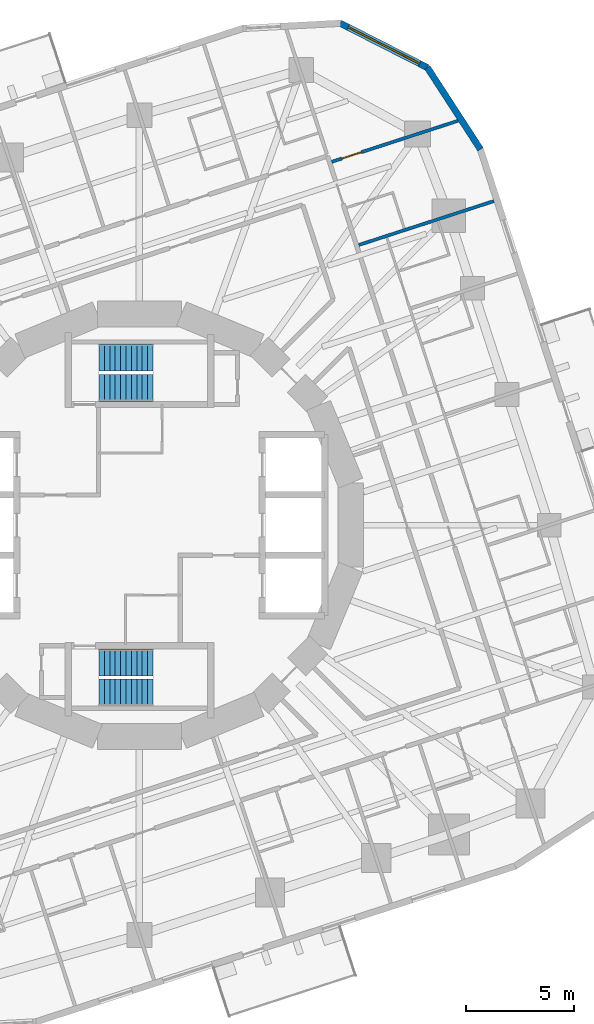
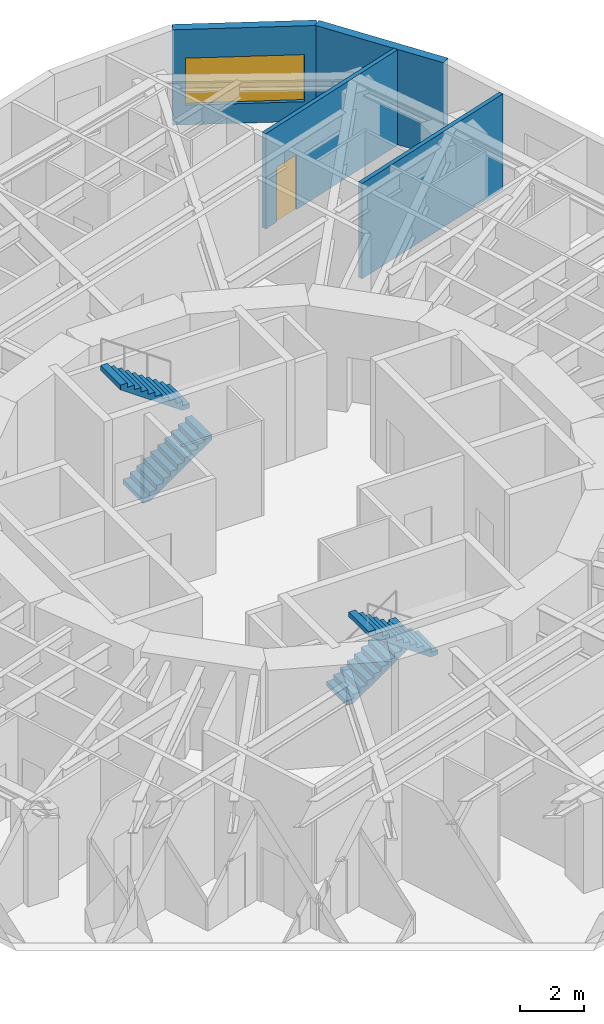
# One storey, part 10 of 12: 4 stair flights, 4 walls, 1 door, 1 window, 2 openings, 2 elements without a shape of their own.
"""IFC4 building model written with IfcOpenShell, lengths in metres."""

from ifc_helpers import new_model, si_unit, direction, frame, frame_2d, origin, place, context, subcontext, project, spatial, polyline, rectangle, outline, extrude, material, layer, layer_set, type_object, element, fill, aggregate, save


model = new_model("IFC4")

# Units and contexts
model_context = context("Model", 3, precision=1e-05, world=origin(), true_north=direction((0.0, 1.0)))
body_context = subcontext(model_context, "Body", "Model", "MODEL_VIEW")
ifc_project = project(units=[si_unit("LENGTHUNIT", "METRE"), si_unit("AREAUNIT", "SQUARE_METRE"), si_unit("VOLUMEUNIT", "CUBIC_METRE"), si_unit("PLANEANGLEUNIT", "RADIAN"), si_unit("MASSUNIT", "GRAM", prefix="KILO")], contexts=[model_context])

# Site, building, storey
site_placement = place(None, origin())
site = spatial("IfcSite", under=ifc_project, at=site_placement, CompositionType="ELEMENT")
building_placement = place(site_placement, origin())
building = spatial("IfcBuilding", under=site, at=building_placement, Name="Nakasero Lantern House", CompositionType="ELEMENT")
storey_placement = place(building_placement, frame((0.0, 0.0, 172.60009765625)))
storey = spatial("IfcBuildingStorey", under=building, at=storey_placement, Name="L42", CompositionType="ELEMENT", Elevation=172.60009765625)

# Wall
ifc_material_1 = material(Name="Aluminium rainscreen on blockwork", Category="masonry")
ifc_layer_1 = layer(ifc_material_1, 0.300048828125)
ifc_layer_set_1 = layer_set([ifc_layer_1], Name="Facade wall 300")
wall_type_1 = type_object("IfcWallType", Name="Facade wall 300", PredefinedType="SOLIDWALL", material=ifc_layer_set_1)
wall_1_placement = place(storey_placement, frame((15.83349609375, 17.44677734375, 0.0), z_axis=(0.0, 0.0, 1.0), x_axis=(-0.544634002266, 0.838673836229, 0.0)))
element("IfcWall", 1, at=wall_1_placement, inside=storey, type_object=wall_type_1, Name="Facade wall L42 FW0C1", PredefinedType="SOLIDWALL", context=body_context, shape_type="SweptSolid", body=[
    extrude(rectangle(XDim=4.529296875, YDim=0.300048828125, at=frame_2d((2.2646484375, 0.0))), origin(), (0.0, 0.0, 1.0), 3.64990234375),
])

# Wall, opening, window
wall_2_placement = place(storey_placement, frame((13.36669921875, 21.245361328125, 0.0), z_axis=(0.0, 0.0, 1.0), x_axis=(-0.890994655705, 0.454013792196, 0.0)))
wall_2 = element("IfcWall", 2, at=wall_2_placement, inside=storey, type_object=wall_type_1, Name="Facade wall L42 FW0C2", PredefinedType="SOLIDWALL", context=body_context, shape_type="SweptSolid", body=[
    extrude(rectangle(XDim=4.529296875, YDim=0.300048828125, at=frame_2d((2.2646484375, 0.0))), origin(), (0.0, 0.0, 1.0), 3.64990234375),
])
opening_1_placement = place(wall_2_placement, frame((0.39990234375, 0.0, 0.75)))
opening_1 = element("IfcOpeningElement", 3, at=opening_1_placement, cuts=wall_2, Name="Opening W237A", PredefinedType="OPENING", context=body_context, shape_type="SweptSolid", body=[
    extrude(rectangle(XDim=3.72900390625, YDim=1.800048828125, at=frame_2d((1.864501953125, 0.89990234375))), frame((0.0, 0.169921875, 0.0), z_axis=(0.0, -1.0, 0.0), x_axis=(1.0, 0.0, 0.0)), (0.0, 0.0, 1.0), 0.340087890625),
])
ifc_material_2 = material(Name="Aluminium 6063-T6 and glass", Category="aluminium")
window_type = type_object("IfcWindowType", Name="Corner window 3729x1800", PartitioningType="SINGLE_PANEL", PredefinedType="WINDOW", material=ifc_material_2)
window_placement = place(opening_1_placement, origin())
window = element("IfcWindow", 4, at=window_placement, inside=storey, type_object=window_type, Name="Window L42 WC0", OverallHeight=1.800048828125, OverallWidth=3.72900390625, PartitioningType="SINGLE_PANEL", PredefinedType="WINDOW", context=body_context, shape_type="SweptSolid", body=[
    extrude(rectangle(XDim=3.72900390625, YDim=1.800048828125, at=frame_2d((1.864501953125, 0.89990234375))), frame((0.0, 0.030029296875, 0.0), z_axis=(0.0, -1.0, 0.0), x_axis=(1.0, 0.0, 0.0)), (0.0, 0.0, 1.0), 0.06005859375),
])
fill(opening_1, window)

# Wall
ifc_material_3 = material(Name="Blockwork", Category="masonry")
ifc_layer_2 = layer(ifc_material_3, 0.14990234375)
ifc_layer_set_2 = layer_set([ifc_layer_2], Name="Party wall 150")
wall_type_2 = type_object("IfcWallType", Name="Party wall 150", PredefinedType="PARTITIONING", material=ifc_layer_set_2)
wall_3_placement = place(storey_placement, frame((10.1796875, 13.004638671875, 0.0), z_axis=(0.0, 0.0, 1.0), x_axis=(0.951053095941, 0.309027520945, 0.0)))
element("IfcWall", 5, at=wall_3_placement, inside=storey, type_object=wall_type_2, Name="Party wall L42 PW0-06", PredefinedType="PARTITIONING", context=body_context, shape_type="SweptSolid", body=[
    extrude(rectangle(XDim=6.599853515625, YDim=0.14990234375, at=frame_2d((3.2998046875, 0.0))), origin(), (0.0, 0.0, 1.0), 3.64990234375),
])

# Wall, opening, door
wall_4_placement = place(storey_placement, frame((8.9248046875, 16.8662109375, 0.0), z_axis=(0.0, 0.0, 1.0), x_axis=(0.951051818488, 0.309031452366, 0.0)))
wall_4 = element("IfcWall", 6, at=wall_4_placement, inside=storey, type_object=wall_type_2, Name="Party wall L42 PC0", PredefinedType="PARTITIONING", context=body_context, shape_type="SweptSolid", body=[
    extrude(rectangle(XDim=6.165283203125, YDim=0.14990234375, at=frame_2d((3.08251953125, 0.0))), origin(), (0.0, 0.0, 1.0), 3.64990234375),
])
opening_2_placement = place(wall_4_placement, frame((0.5, 0.0, 0.0)))
opening_2 = element("IfcOpeningElement", 7, at=opening_2_placement, cuts=wall_4, Name="Opening D01", PredefinedType="OPENING", context=body_context, shape_type="SweptSolid", body=[
    extrude(rectangle(XDim=0.949951171875, YDim=2.10009765625, at=frame_2d((0.47509765625, 1.050048828125))), frame((0.0, 0.094970703125, 0.0), z_axis=(0.0, -1.0, 0.0), x_axis=(1.0, 0.0, 0.0)), (0.0, 0.0, 1.0), 0.18994140625),
])
ifc_material_4 = material(Name="Timber C24", Category="wood")
door_type = type_object("IfcDoorType", Name="Bedroom door FD30S 950", OperationType="SINGLE_SWING_LEFT", PredefinedType="DOOR", material=ifc_material_4)
door_placement = place(opening_2_placement, origin())
door = element("IfcDoor", 8, at=door_placement, inside=storey, type_object=door_type, Name="Door L42 DC0", OperationType="SINGLE_SWING_LEFT", OverallHeight=2.10009765625, OverallWidth=0.949951171875, PredefinedType="DOOR", context=body_context, shape_type="SweptSolid", body=[
    extrude(rectangle(XDim=0.949951171875, YDim=2.10009765625, at=frame_2d((0.47509765625, 1.050048828125))), frame((0.0, 0.02490234375, 0.0), z_axis=(0.0, -1.0, 0.0), x_axis=(1.0, 0.0, 0.0)), (0.0, 0.0, 1.0), 0.050048828125),
])
fill(opening_2, door)

# Stair, stair flights
ifc_material_5 = material(Name="Concrete C40/50", Category="concrete")
stair_type_1 = type_object("IfcStairType", Name="Escape stair ST1 22 risers", PredefinedType="HALF_TURN_STAIR", material=ifc_material_5)
stair_1_placement = place(storey_placement, origin())
stair_1 = element("IfcStair", 9, at=stair_1_placement, inside=storey, type_object=stair_type_1, Name="Escape stair ST1 L42", PredefinedType="HALF_TURN_STAIR")
ifc_material_6 = material(Name="Concrete C40/50", Category="concrete")
stair_flight_type = type_object("IfcStairFlightType", Name="Escape stair flight", PredefinedType="STRAIGHT", material=ifc_material_6)
stair_flight_1_placement = place(storey_placement, frame((-1.875, 6.375, 0.0), z_axis=(0.0, 0.0, 1.0), x_axis=(1.0, 0.0, 0.0)))
stair_flight_1 = element("IfcStairFlight", 10, at=stair_flight_1_placement, type_object=stair_flight_type, Name="ST1 flight 1", NumberOfRisers=11, NumberOfTreads=10, PredefinedType="STRAIGHT", RiserHeight=0.175, TreadLength=0.25, context=body_context, shape_type="SweptSolid", body=[
    extrude(outline(polyline([(0.0, 0.0), (0.0, 0.175048828125), (0.25, 0.175048828125), (0.25, 0.35009765625), (0.5, 0.35009765625), (0.5, 0.52490234375), (0.75, 0.52490234375), (0.75, 0.699951171875), (1.0, 0.699951171875), (1.0, 0.875), (1.25, 0.875), (1.25, 1.050048828125), (1.5, 1.050048828125), (1.5, 1.22509765625), (1.75, 1.22509765625), (1.75, 1.39990234375), (2.0, 1.39990234375), (2.0, 1.574951171875), (2.25, 1.574951171875), (2.25, 1.75), (2.5, 1.75), (2.5, 1.925048828125), (2.5, 1.567138671875), (0.261474609375, 0.0), (0.0, 0.0)])), frame((0.0, 0.625, 0.0), z_axis=(0.0, -1.0, 0.0), x_axis=(1.0, 0.0, 0.0)), (0.0, 0.0, 1.0), 1.25),
])
stair_flight_2_placement = place(storey_placement, frame((0.625, 7.77490234375, 1.9248046875), z_axis=(0.0, 0.0, 1.0), x_axis=(-1.0, 0.0, 0.0)))
stair_flight_2 = element("IfcStairFlight", 11, at=stair_flight_2_placement, type_object=stair_flight_type, Name="ST1 flight 2", NumberOfRisers=11, NumberOfTreads=10, PredefinedType="STRAIGHT", RiserHeight=0.175, TreadLength=0.25, context=body_context, shape_type="SweptSolid", body=[
    extrude(outline(polyline([(0.0, 0.0), (0.0, 0.175048828125), (0.25, 0.175048828125), (0.25, 0.35009765625), (0.5, 0.35009765625), (0.5, 0.52490234375), (0.75, 0.52490234375), (0.75, 0.699951171875), (1.0, 0.699951171875), (1.0, 0.875), (1.25, 0.875), (1.25, 1.050048828125), (1.5, 1.050048828125), (1.5, 1.22509765625), (1.75, 1.22509765625), (1.75, 1.39990234375), (2.0, 1.39990234375), (2.0, 1.574951171875), (2.25, 1.574951171875), (2.25, 1.75), (2.5, 1.75), (2.5, 1.925048828125), (2.5, 1.567138671875), (0.261474609375, 0.0), (0.0, 0.0)])), frame((0.0, 0.625, 0.0), z_axis=(0.0, -1.0, 0.0), x_axis=(1.0, 0.0, 0.0)), (0.0, 0.0, 1.0), 1.25),
])
aggregate(stair_1, [stair_flight_1, stair_flight_2])

ifc_material_7 = material(Name="Concrete C40/50", Category="concrete")
stair_type_2 = type_object("IfcStairType", Name="Escape stair ST2 22 risers", PredefinedType="HALF_TURN_STAIR", material=ifc_material_7)
stair_2_placement = place(storey_placement, origin())
stair_2 = element("IfcStair", 12, at=stair_2_placement, inside=storey, type_object=stair_type_2, Name="Escape stair ST2 L42", PredefinedType="HALF_TURN_STAIR")
stair_flight_3_placement = place(storey_placement, frame((-1.875, -6.375, 0.0), z_axis=(0.0, 0.0, 1.0), x_axis=(1.0, 0.0, 0.0)))
stair_flight_3 = element("IfcStairFlight", 13, at=stair_flight_3_placement, type_object=stair_flight_type, Name="ST2 flight 1", NumberOfRisers=11, NumberOfTreads=10, PredefinedType="STRAIGHT", RiserHeight=0.175, TreadLength=0.25, context=body_context, shape_type="SweptSolid", body=[
    extrude(outline(polyline([(0.0, 0.0), (0.0, 0.175048828125), (0.25, 0.175048828125), (0.25, 0.35009765625), (0.5, 0.35009765625), (0.5, 0.52490234375), (0.75, 0.52490234375), (0.75, 0.699951171875), (1.0, 0.699951171875), (1.0, 0.875), (1.25, 0.875), (1.25, 1.050048828125), (1.5, 1.050048828125), (1.5, 1.22509765625), (1.75, 1.22509765625), (1.75, 1.39990234375), (2.0, 1.39990234375), (2.0, 1.574951171875), (2.25, 1.574951171875), (2.25, 1.75), (2.5, 1.75), (2.5, 1.925048828125), (2.5, 1.567138671875), (0.261474609375, 0.0), (0.0, 0.0)])), frame((0.0, 0.625, 0.0), z_axis=(0.0, -1.0, 0.0), x_axis=(1.0, 0.0, 0.0)), (0.0, 0.0, 1.0), 1.25),
])
stair_flight_4_placement = place(storey_placement, frame((0.625, -7.77490234375, 1.9248046875), z_axis=(0.0, 0.0, 1.0), x_axis=(-1.0, 0.0, 0.0)))
stair_flight_4 = element("IfcStairFlight", 14, at=stair_flight_4_placement, type_object=stair_flight_type, Name="ST2 flight 2", NumberOfRisers=11, NumberOfTreads=10, PredefinedType="STRAIGHT", RiserHeight=0.175, TreadLength=0.25, context=body_context, shape_type="SweptSolid", body=[
    extrude(outline(polyline([(0.0, 0.0), (0.0, 0.175048828125), (0.25, 0.175048828125), (0.25, 0.35009765625), (0.5, 0.35009765625), (0.5, 0.52490234375), (0.75, 0.52490234375), (0.75, 0.699951171875), (1.0, 0.699951171875), (1.0, 0.875), (1.25, 0.875), (1.25, 1.050048828125), (1.5, 1.050048828125), (1.5, 1.22509765625), (1.75, 1.22509765625), (1.75, 1.39990234375), (2.0, 1.39990234375), (2.0, 1.574951171875), (2.25, 1.574951171875), (2.25, 1.75), (2.5, 1.75), (2.5, 1.925048828125), (2.5, 1.567138671875), (0.261474609375, 0.0), (0.0, 0.0)])), frame((0.0, 0.625, 0.0), z_axis=(0.0, -1.0, 0.0), x_axis=(1.0, 0.0, 0.0)), (0.0, 0.0, 1.0), 1.25),
])
aggregate(stair_2, [stair_flight_3, stair_flight_4])

save(model, "model.ifc")
